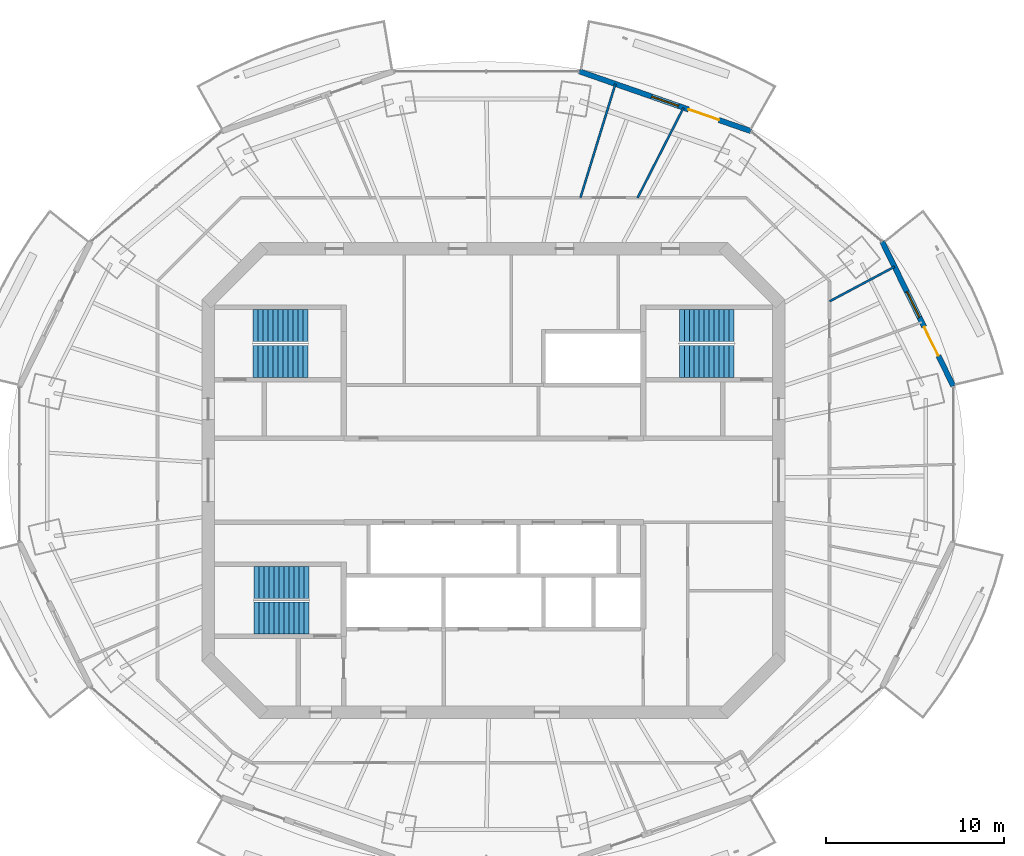
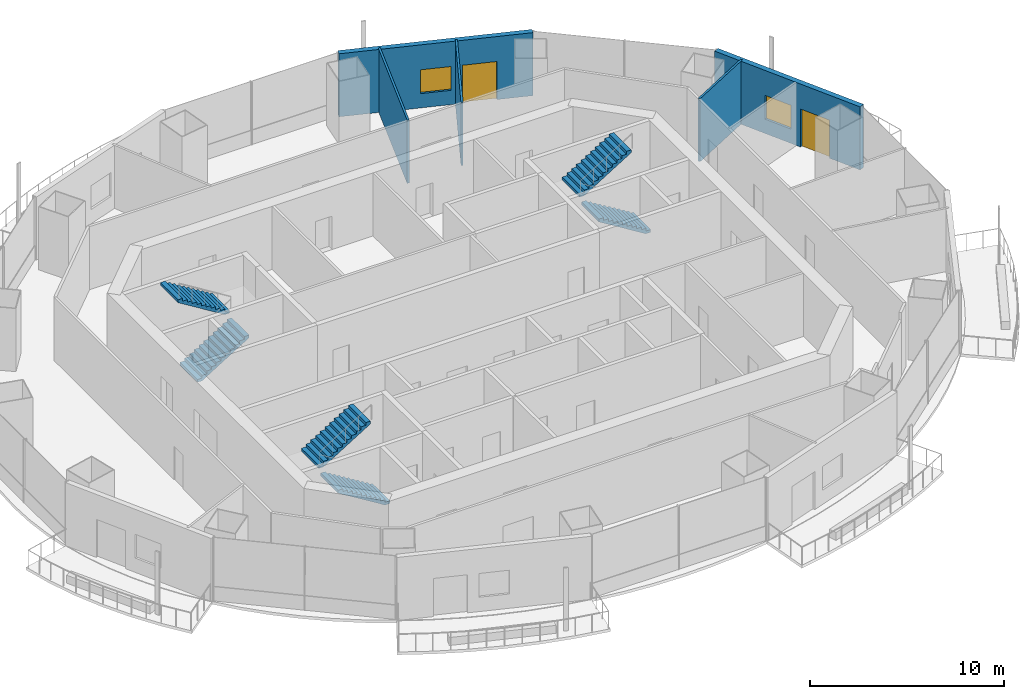
# One storey, part 11 of 16: 6 stair flights, 5 walls, 2 doors, 2 windows, 4 openings, 3 elements without a shape of their own.
"""IFC4 building model written with IfcOpenShell, lengths in metres."""

from ifc_helpers import new_model, si_unit, direction, frame, frame_2d, origin, place, context, subcontext, project, spatial, polyline, rectangle, outline, extrude, material, layer, layer_set, type_object, element, fill, aggregate, save


model = new_model("IFC4")

# Units and contexts
model_context = context("Model", 3, precision=1e-05, world=origin(), true_north=direction((0.0, 1.0)))
body_context = subcontext(model_context, "Body", "Model", "MODEL_VIEW")
ifc_project = project(units=[si_unit("LENGTHUNIT", "METRE"), si_unit("AREAUNIT", "SQUARE_METRE"), si_unit("VOLUMEUNIT", "CUBIC_METRE"), si_unit("PLANEANGLEUNIT", "RADIAN"), si_unit("MASSUNIT", "GRAM", prefix="KILO")], contexts=[model_context])

# Site, building, storey
site_placement = place(None, origin())
site = spatial("IfcSite", under=ifc_project, at=site_placement, CompositionType="ELEMENT")
building_placement = place(site_placement, origin())
building = spatial("IfcBuilding", under=site, at=building_placement, Name="Marenthal Gate Tower", CompositionType="ELEMENT")
storey_placement = place(building_placement, frame((0.0, 0.0, 355.050048828125)))
storey = spatial("IfcBuildingStorey", under=building, at=storey_placement, Name="L80", CompositionType="ELEMENT", Elevation=355.050048828125)

# Walls
ifc_material_1 = material(Name="Gypsum board on steel studs", Category="steel")
ifc_layer_1 = layer(ifc_material_1, 0.1201171875)
ifc_layer_set_1 = layer_set([ifc_layer_1], Name="Partition 120")
wall_type_1 = type_object("IfcWallType", Name="Partition 120", PredefinedType="PARTITIONING", material=ifc_layer_set_1)
wall_1_placement = place(storey_placement, frame((4.8740234375, 15.85009765625, 0.0), z_axis=(0.0, 0.0, 1.0), x_axis=(0.293957481335, 0.955818496979, 0.0)))
element("IfcWall", 1, at=wall_1_placement, inside=storey, type_object=wall_type_1, Name="Partition wall 59", PredefinedType="PARTITIONING", context=body_context, shape_type="SweptSolid", body=[
    extrude(rectangle(XDim=6.682373046875, YDim=0.1201171875, at=frame_2d((3.34130859375, 0.0))), origin(), (0.0, 0.0, 1.0), 3.969970703125),
])
wall_2_placement = place(storey_placement, frame((8.082763671875, 15.85009765625, 0.0), z_axis=(0.0, 0.0, 1.0), x_axis=(0.454290570005, 0.890853567094, 0.0)))
element("IfcWall", 2, at=wall_2_placement, inside=storey, type_object=wall_type_1, Name="Partition wall 61", PredefinedType="PARTITIONING", context=body_context, shape_type="SweptSolid", body=[
    extrude(rectangle(XDim=5.674072265625, YDim=0.1201171875, at=frame_2d((2.8369140625, 0.0))), origin(), (0.0, 0.0, 1.0), 3.969970703125),
])
wall_3_placement = place(storey_placement, frame((18.85009765625, 10.040283203125, 0.0), z_axis=(0.0, 0.0, 1.0), x_axis=(0.882609576654, 0.470106727454, 0.0)))
element("IfcWall", 3, at=wall_3_placement, inside=storey, type_object=wall_type_1, Name="Partition wall 70", PredefinedType="PARTITIONING", context=body_context, shape_type="SweptSolid", body=[
    extrude(rectangle(XDim=4.13232421875, YDim=0.1201171875, at=frame_2d((2.066162109375, 0.0))), origin(), (0.0, 0.0, 1.0), 3.969970703125),
])

# Wall, openings, door, window
ifc_material_2 = material(Name="Terracotta cladding on insulated concrete-block backing", Category="masonry")
ifc_layer_2 = layer(ifc_material_2, 0.300048828125)
ifc_layer_set_2 = layer_set([ifc_layer_2], Name="Terracotta facade wall 300")
wall_type_2 = type_object("IfcWallType", Name="Terracotta facade wall 300", PredefinedType="SOLIDWALL", material=ifc_layer_set_2)
wall_4_placement = place(storey_placement, frame((25.793701171875, 5.284912109375, 0.0), z_axis=(0.0, 0.0, 1.0), x_axis=(-0.441581239579, 0.897221270842, 0.0)))
wall_4 = element("IfcWall", 4, at=wall_4_placement, inside=storey, type_object=wall_type_2, Name="Terracotta facade wall L80 bay 1", PredefinedType="SOLIDWALL", context=body_context, shape_type="SweptSolid", body=[
    extrude(rectangle(XDim=9.0302734375, YDim=0.300048828125, at=frame_2d((4.51513671875, 0.0))), origin(), (0.0, 0.0, 1.0), 3.969970703125),
])
opening_1_placement = place(wall_4_placement, frame((1.89990234375, 0.0, 0.0)))
opening_1 = element("IfcOpeningElement", 5, at=opening_1_placement, cuts=wall_4, Name="Opening BD-L80-01", PredefinedType="OPENING", context=body_context, shape_type="SweptSolid", body=[
    extrude(rectangle(XDim=1.800048828125, YDim=2.39990234375, at=frame_2d((0.89990234375, 1.199951171875))), frame((0.0, 0.16015625, 0.0), z_axis=(0.0, -1.0, 0.0), x_axis=(1.0, 0.0, 0.0)), (0.0, 0.0, 1.0), 0.320068359375),
])
opening_2_placement = place(wall_4_placement, frame((4.300048828125, 0.0, 0.89990234375)))
opening_2 = element("IfcOpeningElement", 6, at=opening_2_placement, cuts=wall_4, Name="Opening WN3-L80-01", PredefinedType="OPENING", context=body_context, shape_type="SweptSolid", body=[
    extrude(rectangle(XDim=1.60009765625, YDim=1.5, at=frame_2d((0.800048828125, 0.75))), frame((0.0, 0.16015625, 0.0), z_axis=(0.0, -1.0, 0.0), x_axis=(1.0, 0.0, 0.0)), (0.0, 0.0, 1.0), 0.320068359375),
])
ifc_material_3 = material(Name="Aluminium and glass", Category="aluminium")
door_type = type_object("IfcDoorType", Name="Balcony door 1800x2400", OperationType="DOUBLE_DOOR_SINGLE_SWING", PredefinedType="DOOR", material=ifc_material_3)
door_1_placement = place(opening_1_placement, origin())
door_1 = element("IfcDoor", 7, at=door_1_placement, inside=storey, type_object=door_type, Name="Balcony door L80 bay 1", OperationType="SINGLE_SWING_LEFT", OverallHeight=2.39990234375, OverallWidth=1.800048828125, PredefinedType="DOOR", context=body_context, shape_type="SweptSolid", body=[
    extrude(rectangle(XDim=1.800048828125, YDim=2.39990234375, at=frame_2d((0.89990234375, 1.199951171875))), frame((0.0, 0.02490234375, 0.0), z_axis=(0.0, -1.0, 0.0), x_axis=(1.0, 0.0, 0.0)), (0.0, 0.0, 1.0), 0.050048828125),
])
fill(opening_1, door_1)
ifc_material_4 = material(Name="Aluminium and glass", Category="aluminium")
window_type = type_object("IfcWindowType", Name="Window 1600x1500", PartitioningType="DOUBLE_PANEL_VERTICAL", PredefinedType="WINDOW", material=ifc_material_4)
window_1_placement = place(opening_2_placement, origin())
window_1 = element("IfcWindow", 8, at=window_1_placement, inside=storey, type_object=window_type, Name="Window L80 bay 1", OverallHeight=1.5, OverallWidth=1.60009765625, PartitioningType="SINGLE_PANEL", PredefinedType="WINDOW", context=body_context, shape_type="SweptSolid", body=[
    extrude(rectangle(XDim=1.60009765625, YDim=1.5, at=frame_2d((0.800048828125, 0.75))), frame((0.0, 0.030029296875, 0.0), z_axis=(0.0, -1.0, 0.0), x_axis=(1.0, 0.0, 0.0)), (0.0, 0.0, 1.0), 0.06005859375),
])
fill(opening_2, window_1)

wall_5_placement = place(storey_placement, frame((14.4375, 19.588134765625, 0.0), z_axis=(0.0, 0.0, 1.0), x_axis=(-0.944272378507, 0.329165118428, 0.0)))
wall_5 = element("IfcWall", 9, at=wall_5_placement, inside=storey, type_object=wall_type_2, Name="Terracotta facade wall L80 bay 3", PredefinedType="SOLIDWALL", context=body_context, shape_type="SweptSolid", body=[
    extrude(rectangle(XDim=10.1953125, YDim=0.300048828125, at=frame_2d((5.09765625, 0.0))), origin(), (0.0, 0.0, 1.0), 3.969970703125),
])
opening_3_placement = place(wall_5_placement, frame((1.89990234375, 0.0, 0.0)))
opening_3 = element("IfcOpeningElement", 10, at=opening_3_placement, cuts=wall_5, Name="Opening BD-L80-03", PredefinedType="OPENING", context=body_context, shape_type="SweptSolid", body=[
    extrude(rectangle(XDim=1.800048828125, YDim=2.39990234375, at=frame_2d((0.89990234375, 1.199951171875))), frame((0.0, 0.16015625, 0.0), z_axis=(0.0, -1.0, 0.0), x_axis=(1.0, 0.0, 0.0)), (0.0, 0.0, 1.0), 0.320068359375),
])
opening_4_placement = place(wall_5_placement, frame((4.300048828125, 0.0, 0.89990234375)))
opening_4 = element("IfcOpeningElement", 11, at=opening_4_placement, cuts=wall_5, Name="Opening WN3-L80-03", PredefinedType="OPENING", context=body_context, shape_type="SweptSolid", body=[
    extrude(rectangle(XDim=1.60009765625, YDim=1.5, at=frame_2d((0.800048828125, 0.75))), frame((0.0, 0.16015625, 0.0), z_axis=(0.0, -1.0, 0.0), x_axis=(1.0, 0.0, 0.0)), (0.0, 0.0, 1.0), 0.320068359375),
])
door_2_placement = place(opening_3_placement, origin())
door_2 = element("IfcDoor", 12, at=door_2_placement, inside=storey, type_object=door_type, Name="Balcony door L80 bay 3", OperationType="SINGLE_SWING_LEFT", OverallHeight=2.39990234375, OverallWidth=1.800048828125, PredefinedType="DOOR", context=body_context, shape_type="SweptSolid", body=[
    extrude(rectangle(XDim=1.800048828125, YDim=2.39990234375, at=frame_2d((0.89990234375, 1.199951171875))), frame((0.0, 0.02490234375, 0.0), z_axis=(0.0, -1.0, 0.0), x_axis=(1.0, 0.0, 0.0)), (0.0, 0.0, 1.0), 0.050048828125),
])
fill(opening_3, door_2)
window_2_placement = place(opening_4_placement, origin())
window_2 = element("IfcWindow", 13, at=window_2_placement, inside=storey, type_object=window_type, Name="Window L80 bay 3", OverallHeight=1.5, OverallWidth=1.60009765625, PartitioningType="SINGLE_PANEL", PredefinedType="WINDOW", context=body_context, shape_type="SweptSolid", body=[
    extrude(rectangle(XDim=1.60009765625, YDim=1.5, at=frame_2d((0.800048828125, 0.75))), frame((0.0, 0.030029296875, 0.0), z_axis=(0.0, -1.0, 0.0), x_axis=(1.0, 0.0, 0.0)), (0.0, 0.0, 1.0), 0.06005859375),
])
fill(opening_4, window_2)

# Stair, stair flights
ifc_material_5 = material(Name="Concrete 40 MPa", Category="concrete")
stair_type = type_object("IfcStairType", Name="Exit stair 1800", PredefinedType="HALF_TURN_STAIR", material=ifc_material_5)
stair_1_placement = place(storey_placement, origin())
stair_1 = element("IfcStair", 14, at=stair_1_placement, inside=storey, type_object=stair_type, Name="Stair ST1", PredefinedType="HALF_TURN_STAIR")
ifc_material_6 = material(Name="Concrete 40 MPa", Category="concrete")
stair_flight_type = type_object("IfcStairFlightType", Name="Stair flight 1800", PredefinedType="STRAIGHT", material=ifc_material_6)
stair_flight_1_placement = place(storey_placement, frame((-13.5, 6.675048828125, 0.0), z_axis=(0.0, 0.0, 1.0), x_axis=(1.0, 0.0, 0.0)))
stair_flight_1 = element("IfcStairFlight", 15, at=stair_flight_1_placement, type_object=stair_flight_type, Name="ST1 flight 1", NumberOfRisers=12, NumberOfTreads=11, PredefinedType="STRAIGHT", RiserHeight=0.172916667, TreadLength=0.28, context=body_context, shape_type="SweptSolid", body=[
    extrude(outline(polyline([(0.0, 0.0), (0.0, 0.1728515625), (0.280029296875, 0.1728515625), (0.280029296875, 0.345947265625), (0.56005859375, 0.345947265625), (0.56005859375, 0.518798828125), (0.840087890625, 0.518798828125), (0.840087890625, 0.691650390625), (1.1201171875, 0.691650390625), (1.1201171875, 0.864501953125), (1.39990234375, 0.864501953125), (1.39990234375, 1.03759765625), (1.679931640625, 1.03759765625), (1.679931640625, 1.21044921875), (1.9599609375, 1.21044921875), (1.9599609375, 1.38330078125), (2.239990234375, 1.38330078125), (2.239990234375, 1.55615234375), (2.52001953125, 1.55615234375), (2.52001953125, 1.729248046875), (2.800048828125, 1.729248046875), (2.800048828125, 1.902099609375), (3.080078125, 1.902099609375), (3.080078125, 2.074951171875), (3.080078125, 1.725830078125), (0.285400390625, 0.0), (0.0, 0.0)])), frame((0.0, 0.89990234375, 0.0), z_axis=(0.0, -1.0, 0.0), x_axis=(1.0, 0.0, 0.0)), (0.0, 0.0, 1.0), 1.800048828125),
])
stair_flight_2_placement = place(storey_placement, frame((-10.419921875, 8.675048828125, 2.074951171875), z_axis=(0.0, 0.0, 1.0), x_axis=(-1.0, 0.0, 0.0)))
stair_flight_2 = element("IfcStairFlight", 16, at=stair_flight_2_placement, type_object=stair_flight_type, Name="ST1 flight 2", NumberOfRisers=12, NumberOfTreads=11, PredefinedType="STRAIGHT", RiserHeight=0.172916667, TreadLength=0.28, context=body_context, shape_type="SweptSolid", body=[
    extrude(outline(polyline([(0.0, 0.0), (0.0, 0.1728515625), (0.280029296875, 0.1728515625), (0.280029296875, 0.345947265625), (0.56005859375, 0.345947265625), (0.56005859375, 0.518798828125), (0.840087890625, 0.518798828125), (0.840087890625, 0.691650390625), (1.1201171875, 0.691650390625), (1.1201171875, 0.864501953125), (1.39990234375, 0.864501953125), (1.39990234375, 1.03759765625), (1.679931640625, 1.03759765625), (1.679931640625, 1.21044921875), (1.9599609375, 1.21044921875), (1.9599609375, 1.38330078125), (2.239990234375, 1.38330078125), (2.239990234375, 1.55615234375), (2.52001953125, 1.55615234375), (2.52001953125, 1.729248046875), (2.800048828125, 1.729248046875), (2.800048828125, 1.902099609375), (3.080078125, 1.902099609375), (3.080078125, 2.074951171875), (3.080078125, 1.725830078125), (0.285400390625, 0.0), (0.0, 0.0)])), frame((0.0, 0.89990234375, 0.0), z_axis=(0.0, -1.0, 0.0), x_axis=(1.0, 0.0, 0.0)), (0.0, 0.0, 1.0), 1.800048828125),
])
aggregate(stair_1, [stair_flight_1, stair_flight_2])

stair_2_placement = place(storey_placement, origin())
stair_2 = element("IfcStair", 17, at=stair_2_placement, inside=storey, type_object=stair_type, Name="Stair ST2", PredefinedType="HALF_TURN_STAIR")
stair_flight_3_placement = place(storey_placement, frame((-10.35009765625, -7.72509765625, 0.0), z_axis=(0.0, 0.0, 1.0), x_axis=(-1.0, 0.0, 0.0)))
stair_flight_3 = element("IfcStairFlight", 18, at=stair_flight_3_placement, type_object=stair_flight_type, Name="ST2 flight 1", NumberOfRisers=12, NumberOfTreads=11, PredefinedType="STRAIGHT", RiserHeight=0.172916667, TreadLength=0.28, context=body_context, shape_type="SweptSolid", body=[
    extrude(outline(polyline([(0.0, 0.0), (0.0, 0.1728515625), (0.280029296875, 0.1728515625), (0.280029296875, 0.345947265625), (0.56005859375, 0.345947265625), (0.56005859375, 0.518798828125), (0.840087890625, 0.518798828125), (0.840087890625, 0.691650390625), (1.1201171875, 0.691650390625), (1.1201171875, 0.864501953125), (1.39990234375, 0.864501953125), (1.39990234375, 1.03759765625), (1.679931640625, 1.03759765625), (1.679931640625, 1.21044921875), (1.9599609375, 1.21044921875), (1.9599609375, 1.38330078125), (2.239990234375, 1.38330078125), (2.239990234375, 1.55615234375), (2.52001953125, 1.55615234375), (2.52001953125, 1.729248046875), (2.800048828125, 1.729248046875), (2.800048828125, 1.902099609375), (3.080078125, 1.902099609375), (3.080078125, 2.074951171875), (3.080078125, 1.725830078125), (0.285400390625, 0.0), (0.0, 0.0)])), frame((0.0, 0.89990234375, 0.0), z_axis=(0.0, -1.0, 0.0), x_axis=(1.0, 0.0, 0.0)), (0.0, 0.0, 1.0), 1.800048828125),
])
stair_flight_4_placement = place(storey_placement, frame((-13.429931640625, -5.72509765625, 2.074951171875), z_axis=(0.0, 0.0, 1.0), x_axis=(1.0, 0.0, 0.0)))
stair_flight_4 = element("IfcStairFlight", 19, at=stair_flight_4_placement, type_object=stair_flight_type, Name="ST2 flight 2", NumberOfRisers=12, NumberOfTreads=11, PredefinedType="STRAIGHT", RiserHeight=0.172916667, TreadLength=0.28, context=body_context, shape_type="SweptSolid", body=[
    extrude(outline(polyline([(0.0, 0.0), (0.0, 0.1728515625), (0.280029296875, 0.1728515625), (0.280029296875, 0.345947265625), (0.56005859375, 0.345947265625), (0.56005859375, 0.518798828125), (0.840087890625, 0.518798828125), (0.840087890625, 0.691650390625), (1.1201171875, 0.691650390625), (1.1201171875, 0.864501953125), (1.39990234375, 0.864501953125), (1.39990234375, 1.03759765625), (1.679931640625, 1.03759765625), (1.679931640625, 1.21044921875), (1.9599609375, 1.21044921875), (1.9599609375, 1.38330078125), (2.239990234375, 1.38330078125), (2.239990234375, 1.55615234375), (2.52001953125, 1.55615234375), (2.52001953125, 1.729248046875), (2.800048828125, 1.729248046875), (2.800048828125, 1.902099609375), (3.080078125, 1.902099609375), (3.080078125, 2.074951171875), (3.080078125, 1.725830078125), (0.285400390625, 0.0), (0.0, 0.0)])), frame((0.0, 0.89990234375, 0.0), z_axis=(0.0, -1.0, 0.0), x_axis=(1.0, 0.0, 0.0)), (0.0, 0.0, 1.0), 1.800048828125),
])
aggregate(stair_2, [stair_flight_3, stair_flight_4])

stair_3_placement = place(storey_placement, origin())
stair_3 = element("IfcStair", 20, at=stair_3_placement, inside=storey, type_object=stair_type, Name="Stair ST3", PredefinedType="HALF_TURN_STAIR")
stair_flight_5_placement = place(storey_placement, frame((13.5, 6.675048828125, 0.0), z_axis=(0.0, 0.0, 1.0), x_axis=(-1.0, 0.0, 0.0)))
stair_flight_5 = element("IfcStairFlight", 21, at=stair_flight_5_placement, type_object=stair_flight_type, Name="ST3 flight 1", NumberOfRisers=12, NumberOfTreads=11, PredefinedType="STRAIGHT", RiserHeight=0.172916667, TreadLength=0.28, context=body_context, shape_type="SweptSolid", body=[
    extrude(outline(polyline([(0.0, 0.0), (0.0, 0.1728515625), (0.280029296875, 0.1728515625), (0.280029296875, 0.345947265625), (0.56005859375, 0.345947265625), (0.56005859375, 0.518798828125), (0.840087890625, 0.518798828125), (0.840087890625, 0.691650390625), (1.1201171875, 0.691650390625), (1.1201171875, 0.864501953125), (1.39990234375, 0.864501953125), (1.39990234375, 1.03759765625), (1.679931640625, 1.03759765625), (1.679931640625, 1.21044921875), (1.9599609375, 1.21044921875), (1.9599609375, 1.38330078125), (2.239990234375, 1.38330078125), (2.239990234375, 1.55615234375), (2.52001953125, 1.55615234375), (2.52001953125, 1.729248046875), (2.800048828125, 1.729248046875), (2.800048828125, 1.902099609375), (3.080078125, 1.902099609375), (3.080078125, 2.074951171875), (3.080078125, 1.725830078125), (0.285400390625, 0.0), (0.0, 0.0)])), frame((0.0, 0.89990234375, 0.0), z_axis=(0.0, -1.0, 0.0), x_axis=(1.0, 0.0, 0.0)), (0.0, 0.0, 1.0), 1.800048828125),
])
stair_flight_6_placement = place(storey_placement, frame((10.419921875, 8.675048828125, 2.074951171875), z_axis=(0.0, 0.0, 1.0), x_axis=(1.0, 0.0, 0.0)))
stair_flight_6 = element("IfcStairFlight", 22, at=stair_flight_6_placement, type_object=stair_flight_type, Name="ST3 flight 2", NumberOfRisers=12, NumberOfTreads=11, PredefinedType="STRAIGHT", RiserHeight=0.172916667, TreadLength=0.28, context=body_context, shape_type="SweptSolid", body=[
    extrude(outline(polyline([(0.0, 0.0), (0.0, 0.1728515625), (0.280029296875, 0.1728515625), (0.280029296875, 0.345947265625), (0.56005859375, 0.345947265625), (0.56005859375, 0.518798828125), (0.840087890625, 0.518798828125), (0.840087890625, 0.691650390625), (1.1201171875, 0.691650390625), (1.1201171875, 0.864501953125), (1.39990234375, 0.864501953125), (1.39990234375, 1.03759765625), (1.679931640625, 1.03759765625), (1.679931640625, 1.21044921875), (1.9599609375, 1.21044921875), (1.9599609375, 1.38330078125), (2.239990234375, 1.38330078125), (2.239990234375, 1.55615234375), (2.52001953125, 1.55615234375), (2.52001953125, 1.729248046875), (2.800048828125, 1.729248046875), (2.800048828125, 1.902099609375), (3.080078125, 1.902099609375), (3.080078125, 2.074951171875), (3.080078125, 1.725830078125), (0.285400390625, 0.0), (0.0, 0.0)])), frame((0.0, 0.89990234375, 0.0), z_axis=(0.0, -1.0, 0.0), x_axis=(1.0, 0.0, 0.0)), (0.0, 0.0, 1.0), 1.800048828125),
])
aggregate(stair_3, [stair_flight_5, stair_flight_6])

save(model, "model.ifc")
